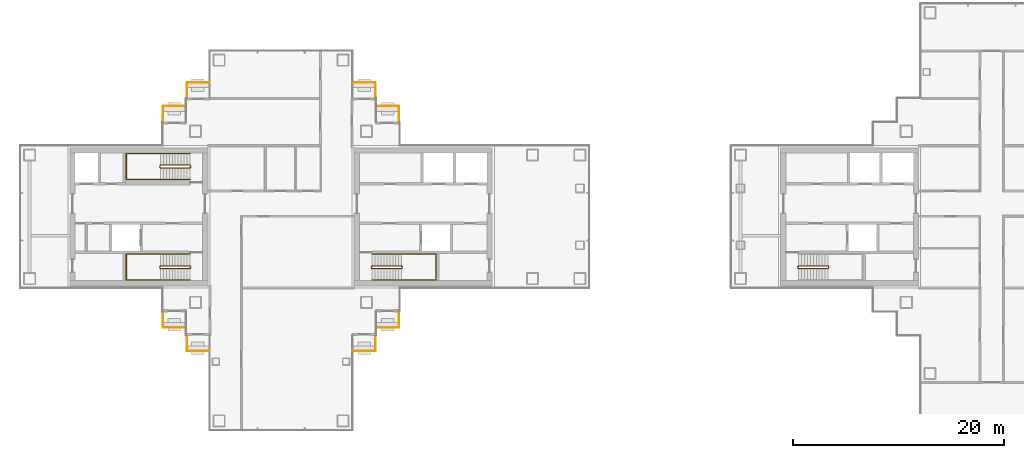
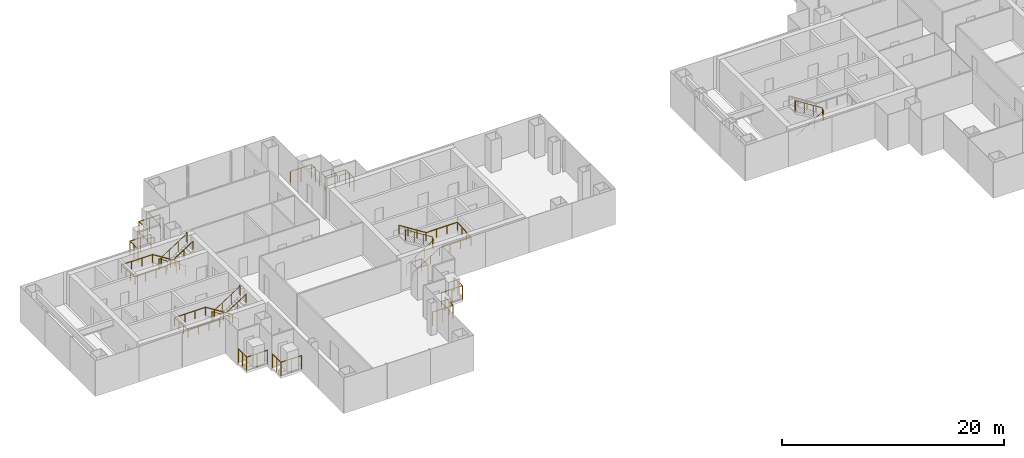
# One storey, part 14 of 16: 15 railings.
"""IFC4 building model written with IfcOpenShell, lengths in metres."""

from ifc_helpers import new_model, si_unit, direction, frame, origin, origin_2d, place, context, subcontext, project, spatial, circle, extrude, material, type_object, element, save


model = new_model("IFC4")

# Units and contexts
model_context = context("Model", 3, precision=1e-05, world=origin(), true_north=direction((0.0, 1.0)))
body_context = subcontext(model_context, "Body", "Model", "MODEL_VIEW")
ifc_project = project(units=[si_unit("LENGTHUNIT", "METRE"), si_unit("AREAUNIT", "SQUARE_METRE"), si_unit("VOLUMEUNIT", "CUBIC_METRE"), si_unit("PLANEANGLEUNIT", "RADIAN"), si_unit("MASSUNIT", "GRAM", prefix="KILO")], contexts=[model_context])

# Site, building, storey
site_placement = place(None, origin())
site = spatial("IfcSite", under=ifc_project, at=site_placement, CompositionType="ELEMENT")
building_placement = place(site_placement, origin())
building = spatial("IfcBuilding", under=site, at=building_placement, Name="Shamsa Quay Exchange Towers", CompositionType="ELEMENT")
storey_placement = place(building_placement, frame((0.0, 0.0, 158.39990234375)))
storey = spatial("IfcBuildingStorey", under=building, at=storey_placement, Name="L37", CompositionType="ELEMENT", Elevation=158.39990234375)

# Railings
ifc_material_1 = material(Name="Steel S355, black powder-coated", Category="steel")
railing_type_1 = type_object("IfcRailingType", Name="BALCONY GUARD 1500", PredefinedType="GUARDRAIL", material=ifc_material_1)
for number, where, name in (
    (1, (-22.550048828125, 9.02099609375, 0.0), "Balcony guard T1-PKEN L37"),
    (2, (-24.800048828125, 11.27099609375, 0.0), "Balcony guard T1-PKEN L37"),
):
    element("IfcRailing", number, at=place(storey_placement, frame(where)), inside=storey, type_object=railing_type_1, Name=name, PredefinedType="GUARDRAIL", context=body_context, shape_type="SweptSolid", body=[
        extrude(circle(Radius=0.02392578125, at=origin_2d()), frame((0.0, 0.0, 1.47607421875), z_axis=(0.0, 1.0, 0.0), x_axis=(-1.0, 0.0, 0.0)), (0.0, 0.0, 1.0), 1.47900390625),
        extrude(circle(Radius=0.02392578125, at=origin_2d()), frame((0.0, 1.47900390625, 1.47607421875), z_axis=(-1.0, 0.0, 0.0), x_axis=(0.0, -1.0, 0.0)), (0.0, 0.0, 1.0), 2.161865234375),
        extrude(circle(Radius=0.02099609375, at=origin_2d()), origin(), (0.0, 0.0, 1.0), 1.451904296875),
        extrude(circle(Radius=0.02099609375, at=origin_2d()), frame((0.0, 0.739501953125, 0.0)), (0.0, 0.0, 1.0), 1.451904296875),
        extrude(circle(Radius=0.02099609375, at=origin_2d()), frame((0.0, 1.47900390625, 0.0)), (0.0, 0.0, 1.0), 1.451904296875),
        extrude(circle(Radius=0.02099609375, at=origin_2d()), frame((-1.0810546875, 1.47900390625, 0.0)), (0.0, 0.0, 1.0), 1.451904296875),
        extrude(circle(Radius=0.02099609375, at=origin_2d()), frame((-2.161865234375, 1.47900390625, 0.0)), (0.0, 0.0, 1.0), 1.451904296875),
    ])
for number, where, name in (
    (3, (-24.7119140625, -10.5, 0.0), "Balcony guard T1-PKES L37"),
    (4, (-26.9619140625, -12.75, 0.0), "Balcony guard T1-PKES L37"),
):
    element("IfcRailing", number, at=place(storey_placement, frame(where)), inside=storey, type_object=railing_type_1, Name=name, PredefinedType="GUARDRAIL", context=body_context, shape_type="SweptSolid", body=[
        extrude(circle(Radius=0.02392578125, at=origin_2d()), frame((0.0, 0.0, 1.47607421875), z_axis=(1.0, 0.0, 0.0), x_axis=(0.0, 1.0, 0.0)), (0.0, 0.0, 1.0), 2.161865234375),
        extrude(circle(Radius=0.02392578125, at=origin_2d()), frame((2.161865234375, 0.0, 1.47607421875), z_axis=(0.0, 1.0, 0.0), x_axis=(-1.0, 0.0, 0.0)), (0.0, 0.0, 1.0), 1.47900390625),
        extrude(circle(Radius=0.02099609375, at=origin_2d()), origin(), (0.0, 0.0, 1.0), 1.451904296875),
        extrude(circle(Radius=0.02099609375, at=origin_2d()), frame((1.0810546875, 0.0, 0.0)), (0.0, 0.0, 1.0), 1.451904296875),
        extrude(circle(Radius=0.02099609375, at=origin_2d()), frame((2.161865234375, 0.0, 0.0)), (0.0, 0.0, 1.0), 1.451904296875),
        extrude(circle(Radius=0.02099609375, at=origin_2d()), frame((2.161865234375, 0.739501953125, 0.0)), (0.0, 0.0, 1.0), 1.451904296875),
        extrude(circle(Radius=0.02099609375, at=origin_2d()), frame((2.161865234375, 1.47900390625, 0.0)), (0.0, 0.0, 1.0), 1.451904296875),
    ])
for number, where, name in (
    (5, (-40.5380859375, 12.75, 0.0), "Balcony guard T1-PKWN L37"),
    (6, (-42.7880859375, 10.5, 0.0), "Balcony guard T1-PKWN L37"),
):
    element("IfcRailing", number, at=place(storey_placement, frame(where)), inside=storey, type_object=railing_type_1, Name=name, PredefinedType="GUARDRAIL", context=body_context, shape_type="SweptSolid", body=[
        extrude(circle(Radius=0.02392578125, at=origin_2d()), frame((0.0, 0.0, 1.47607421875), z_axis=(-1.0, 0.0, 0.0), x_axis=(0.0, -1.0, 0.0)), (0.0, 0.0, 1.0), 2.161865234375),
        extrude(circle(Radius=0.02392578125, at=origin_2d()), frame((-2.161865234375, 0.0, 1.47607421875), z_axis=(0.0, -1.0, 0.0), x_axis=(1.0, 0.0, 0.0)), (0.0, 0.0, 1.0), 1.47900390625),
        extrude(circle(Radius=0.02099609375, at=origin_2d()), origin(), (0.0, 0.0, 1.0), 1.451904296875),
        extrude(circle(Radius=0.02099609375, at=origin_2d()), frame((-1.0810546875, 0.0, 0.0)), (0.0, 0.0, 1.0), 1.451904296875),
        extrude(circle(Radius=0.02099609375, at=origin_2d()), frame((-2.161865234375, 0.0, 0.0)), (0.0, 0.0, 1.0), 1.451904296875),
        extrude(circle(Radius=0.02099609375, at=origin_2d()), frame((-2.161865234375, -0.739501953125, 0.0)), (0.0, 0.0, 1.0), 1.451904296875),
        extrude(circle(Radius=0.02099609375, at=origin_2d()), frame((-2.161865234375, -1.47900390625, 0.0)), (0.0, 0.0, 1.0), 1.451904296875),
    ])
for number, where, name in (
    (7, (-44.949951171875, -9.02099609375, 0.0), "Balcony guard T1-PKWS L37"),
    (8, (-42.699951171875, -11.27099609375, 0.0), "Balcony guard T1-PKWS L37"),
):
    element("IfcRailing", number, at=place(storey_placement, frame(where)), inside=storey, type_object=railing_type_1, Name=name, PredefinedType="GUARDRAIL", context=body_context, shape_type="SweptSolid", body=[
        extrude(circle(Radius=0.02392578125, at=origin_2d()), frame((0.0, 0.0, 1.47607421875), z_axis=(0.0, -1.0, 0.0), x_axis=(1.0, 0.0, 0.0)), (0.0, 0.0, 1.0), 1.47900390625),
        extrude(circle(Radius=0.02392578125, at=origin_2d()), frame((0.0, -1.47900390625, 1.47607421875), z_axis=(1.0, 0.0, 0.0), x_axis=(0.0, 1.0, 0.0)), (0.0, 0.0, 1.0), 2.161865234375),
        extrude(circle(Radius=0.02099609375, at=origin_2d()), origin(), (0.0, 0.0, 1.0), 1.451904296875),
        extrude(circle(Radius=0.02099609375, at=origin_2d()), frame((0.0, -0.739501953125, 0.0)), (0.0, 0.0, 1.0), 1.451904296875),
        extrude(circle(Radius=0.02099609375, at=origin_2d()), frame((0.0, -1.47900390625, 0.0)), (0.0, 0.0, 1.0), 1.451904296875),
        extrude(circle(Radius=0.02099609375, at=origin_2d()), frame((1.0810546875, -1.47900390625, 0.0)), (0.0, 0.0, 1.0), 1.451904296875),
        extrude(circle(Radius=0.02099609375, at=origin_2d()), frame((2.161865234375, -1.47900390625, 0.0)), (0.0, 0.0, 1.0), 1.451904296875),
    ])
ifc_material_2 = material(Name="Stainless steel", Category="steel")
railing_type_2 = type_object("IfcRailingType", Name="STAIR GUARD 1100", PredefinedType="GUARDRAIL", material=ifc_material_2)
railing_1_placement = place(storey_placement, frame((-25.10009765625, -4.89990234375, 0.177490234375)))
element("IfcRailing", 9, at=railing_1_placement, inside=storey, type_object=railing_type_2, Name="L37 ST1 stair guard 1", PredefinedType="GUARDRAIL", context=body_context, shape_type="SweptSolid", body=[
    extrude(circle(Radius=0.02392578125, at=origin_2d()), frame((0.0, 0.0, 1.076171875), z_axis=(0.844908973607, 0.0, 0.534910110503), x_axis=(0.0, 1.0, 0.0)), (0.0, 0.0, 1.0), 3.31396484375),
    extrude(circle(Radius=0.02392578125, at=origin_2d()), frame((2.800048828125, 0.0, 2.8486328125), z_axis=(0.708833529934, 0.705375805398, 0.0), x_axis=(-0.705375805398, 0.708833529934, 0.0)), (0.0, 0.0, 1.0), 0.070556640625),
    extrude(circle(Radius=0.02392578125, at=origin_2d()), frame((2.85009765625, 0.0498046875, 2.8486328125), z_axis=(0.0, 1.0, 0.0), x_axis=(-1.0, 0.0, 0.0)), (0.0, 0.0, 1.0), 0.150146484375),
    extrude(circle(Radius=0.02392578125, at=origin_2d()), frame((2.85009765625, 0.199951171875, 2.8486328125), z_axis=(-0.262233686654, 0.262233686654, 0.928691007369), x_axis=(-0.707106781187, -0.707106781187, 0.0)), (0.0, 0.0, 1.0), 0.19091796875),
    extrude(circle(Radius=0.02392578125, at=origin_2d()), frame((2.800048828125, 0.25, 3.02587890625), z_axis=(-0.844908973607, 0.0, 0.534910110503), x_axis=(0.0, -1.0, 0.0)), (0.0, 0.0, 1.0), 3.31396484375),
    extrude(circle(Radius=0.02392578125, at=origin_2d()), frame((0.0, 0.25, 4.798828125), z_axis=(-0.24142163986, -0.970420317083, 0.0), x_axis=(0.970420317083, -0.24142163986, 0.0)), (0.0, 0.0, 1.0), 0.206298828125),
    extrude(circle(Radius=0.02392578125, at=origin_2d()), frame((-0.0498046875, 0.0498046875, 4.798828125), z_axis=(0.0, 1.0, 0.0), x_axis=(-1.0, 0.0, 0.0)), (0.0, 0.0, 1.0), 0.150146484375),
    extrude(circle(Radius=0.02099609375, at=origin_2d()), origin(), (0.0, 0.0, 1.0), 1.052001953125),
    extrude(circle(Radius=0.02099609375, at=origin_2d()), frame((0.933349609375, 0.0, 0.5908203125)), (0.0, 0.0, 1.0), 1.052001953125),
    extrude(circle(Radius=0.02099609375, at=origin_2d()), frame((1.86669921875, 0.0, 1.181884765625)), (0.0, 0.0, 1.0), 1.052001953125),
    extrude(circle(Radius=0.02099609375, at=origin_2d()), frame((2.800048828125, 0.0, 1.772705078125)), (0.0, 0.0, 1.0), 1.052001953125),
    extrude(circle(Radius=0.02099609375, at=origin_2d()), frame((2.85009765625, 0.0498046875, 1.772705078125)), (0.0, 0.0, 1.0), 1.052001953125),
    extrude(circle(Radius=0.02099609375, at=origin_2d()), frame((2.85009765625, 0.199951171875, 1.772705078125)), (0.0, 0.0, 1.0), 1.052001953125),
    extrude(circle(Radius=0.02099609375, at=origin_2d()), frame((2.800048828125, 0.25, 1.949951171875)), (0.0, 0.0, 1.0), 1.052001953125),
    extrude(circle(Radius=0.02099609375, at=origin_2d()), frame((1.86669921875, 0.25, 2.540771484375)), (0.0, 0.0, 1.0), 1.052001953125),
    extrude(circle(Radius=0.02099609375, at=origin_2d()), frame((0.933349609375, 0.25, 3.1318359375)), (0.0, 0.0, 1.0), 1.052001953125),
    extrude(circle(Radius=0.02099609375, at=origin_2d()), frame((0.0, 0.25, 3.72265625)), (0.0, 0.0, 1.0), 1.052001953125),
    extrude(circle(Radius=0.02099609375, at=origin_2d()), frame((-0.0498046875, 0.0498046875, 3.72265625)), (0.0, 0.0, 1.0), 1.052001953125),
    extrude(circle(Radius=0.02099609375, at=origin_2d()), frame((-0.0498046875, 0.199951171875, 3.72265625)), (0.0, 0.0, 1.0), 1.052001953125),
])
railing_2_placement = place(storey_placement, frame((-42.39990234375, -4.64990234375, 0.177490234375)))
element("IfcRailing", 10, at=railing_2_placement, inside=storey, type_object=railing_type_2, Name="L37 ST2 stair guard 1", PredefinedType="GUARDRAIL", context=body_context, shape_type="SweptSolid", body=[
    extrude(circle(Radius=0.02392578125, at=origin_2d()), frame((0.0, 0.0, 1.076171875), z_axis=(-0.844908973607, 0.0, 0.534910110503), x_axis=(0.0, -1.0, 0.0)), (0.0, 0.0, 1.0), 3.31396484375),
    extrude(circle(Radius=0.02392578125, at=origin_2d()), frame((-2.800048828125, 0.0, 2.8486328125), z_axis=(-0.707106781187, -0.707106781187, 0.0), x_axis=(0.707106781187, -0.707106781187, 0.0)), (0.0, 0.0, 1.0), 0.07080078125),
    extrude(circle(Radius=0.02392578125, at=origin_2d()), frame((-2.85009765625, -0.050048828125, 2.8486328125), z_axis=(0.0, -1.0, 0.0), x_axis=(1.0, 0.0, 0.0)), (0.0, 0.0, 1.0), 0.150146484375),
    extrude(circle(Radius=0.02392578125, at=origin_2d()), frame((-2.85009765625, -0.2001953125, 2.8486328125), z_axis=(0.262321481514, -0.261041864531, 0.929001929653), x_axis=(0.705375805398, 0.708833529934, 0.0)), (0.0, 0.0, 1.0), 0.190673828125),
    extrude(circle(Radius=0.02392578125, at=origin_2d()), frame((-2.800048828125, -0.25, 3.02587890625), z_axis=(0.844908973607, 0.0, 0.534910110503), x_axis=(0.0, 1.0, 0.0)), (0.0, 0.0, 1.0), 3.31396484375),
    extrude(circle(Radius=0.02392578125, at=origin_2d()), frame((0.0, -0.25, 4.798828125), z_axis=(0.241699205484, 0.970351222016, 0.0), x_axis=(-0.970351222016, 0.241699205484, 0.0)), (0.0, 0.0, 1.0), 0.2060546875),
    extrude(circle(Radius=0.02392578125, at=origin_2d()), frame((0.0498046875, -0.050048828125, 4.798828125), z_axis=(0.0, -1.0, 0.0), x_axis=(1.0, 0.0, 0.0)), (0.0, 0.0, 1.0), 0.150146484375),
    extrude(circle(Radius=0.02099609375, at=origin_2d()), origin(), (0.0, 0.0, 1.0), 1.052001953125),
    extrude(circle(Radius=0.02099609375, at=origin_2d()), frame((-0.933349609375, 0.0, 0.5908203125)), (0.0, 0.0, 1.0), 1.052001953125),
    extrude(circle(Radius=0.02099609375, at=origin_2d()), frame((-1.86669921875, 0.0, 1.181884765625)), (0.0, 0.0, 1.0), 1.052001953125),
    extrude(circle(Radius=0.02099609375, at=origin_2d()), frame((-2.800048828125, 0.0, 1.772705078125)), (0.0, 0.0, 1.0), 1.052001953125),
    extrude(circle(Radius=0.02099609375, at=origin_2d()), frame((-2.85009765625, -0.050048828125, 1.772705078125)), (0.0, 0.0, 1.0), 1.052001953125),
    extrude(circle(Radius=0.02099609375, at=origin_2d()), frame((-2.85009765625, -0.2001953125, 1.772705078125)), (0.0, 0.0, 1.0), 1.052001953125),
    extrude(circle(Radius=0.02099609375, at=origin_2d()), frame((-2.800048828125, -0.25, 1.949951171875)), (0.0, 0.0, 1.0), 1.052001953125),
    extrude(circle(Radius=0.02099609375, at=origin_2d()), frame((-1.86669921875, -0.25, 2.540771484375)), (0.0, 0.0, 1.0), 1.052001953125),
    extrude(circle(Radius=0.02099609375, at=origin_2d()), frame((-0.933349609375, -0.25, 3.1318359375)), (0.0, 0.0, 1.0), 1.052001953125),
    extrude(circle(Radius=0.02099609375, at=origin_2d()), frame((0.0, -0.25, 3.72265625)), (0.0, 0.0, 1.0), 1.052001953125),
    extrude(circle(Radius=0.02099609375, at=origin_2d()), frame((0.0498046875, -0.050048828125, 3.72265625)), (0.0, 0.0, 1.0), 1.052001953125),
    extrude(circle(Radius=0.02099609375, at=origin_2d()), frame((0.0498046875, -0.2001953125, 3.72265625)), (0.0, 0.0, 1.0), 1.052001953125),
])
railing_3_placement = place(storey_placement, frame((-42.39990234375, 4.89990234375, 0.177490234375)))
element("IfcRailing", 11, at=railing_3_placement, inside=storey, type_object=railing_type_2, Name="L37 ST3 stair guard 1", PredefinedType="GUARDRAIL", context=body_context, shape_type="SweptSolid", body=[
    extrude(circle(Radius=0.02392578125, at=origin_2d()), frame((0.0, 0.0, 1.076171875), z_axis=(-0.844908973607, 0.0, 0.534910110503), x_axis=(0.0, -1.0, 0.0)), (0.0, 0.0, 1.0), 3.31396484375),
    extrude(circle(Radius=0.02392578125, at=origin_2d()), frame((-2.800048828125, 0.0, 2.8486328125), z_axis=(-0.708833529934, -0.705375805398, 0.0), x_axis=(0.705375805398, -0.708833529934, 0.0)), (0.0, 0.0, 1.0), 0.070556640625),
    extrude(circle(Radius=0.02392578125, at=origin_2d()), frame((-2.85009765625, -0.0498046875, 2.8486328125), z_axis=(0.0, -1.0, 0.0), x_axis=(1.0, 0.0, 0.0)), (0.0, 0.0, 1.0), 0.150146484375),
    extrude(circle(Radius=0.02392578125, at=origin_2d()), frame((-2.85009765625, -0.199951171875, 2.8486328125), z_axis=(0.262233686654, -0.262233686654, 0.928691007369), x_axis=(0.707106781187, 0.707106781187, 0.0)), (0.0, 0.0, 1.0), 0.19091796875),
    extrude(circle(Radius=0.02392578125, at=origin_2d()), frame((-2.800048828125, -0.25, 3.02587890625), z_axis=(0.844908973607, 0.0, 0.534910110503), x_axis=(0.0, 1.0, 0.0)), (0.0, 0.0, 1.0), 3.31396484375),
    extrude(circle(Radius=0.02392578125, at=origin_2d()), frame((0.0, -0.25, 4.798828125), z_axis=(0.24142163986, 0.970420317083, 0.0), x_axis=(-0.970420317083, 0.24142163986, 0.0)), (0.0, 0.0, 1.0), 0.206298828125),
    extrude(circle(Radius=0.02392578125, at=origin_2d()), frame((0.0498046875, -0.0498046875, 4.798828125), z_axis=(0.0, -1.0, 0.0), x_axis=(1.0, 0.0, 0.0)), (0.0, 0.0, 1.0), 0.150146484375),
    extrude(circle(Radius=0.02099609375, at=origin_2d()), origin(), (0.0, 0.0, 1.0), 1.052001953125),
    extrude(circle(Radius=0.02099609375, at=origin_2d()), frame((-0.933349609375, 0.0, 0.5908203125)), (0.0, 0.0, 1.0), 1.052001953125),
    extrude(circle(Radius=0.02099609375, at=origin_2d()), frame((-1.86669921875, 0.0, 1.181884765625)), (0.0, 0.0, 1.0), 1.052001953125),
    extrude(circle(Radius=0.02099609375, at=origin_2d()), frame((-2.800048828125, 0.0, 1.772705078125)), (0.0, 0.0, 1.0), 1.052001953125),
    extrude(circle(Radius=0.02099609375, at=origin_2d()), frame((-2.85009765625, -0.0498046875, 1.772705078125)), (0.0, 0.0, 1.0), 1.052001953125),
    extrude(circle(Radius=0.02099609375, at=origin_2d()), frame((-2.85009765625, -0.199951171875, 1.772705078125)), (0.0, 0.0, 1.0), 1.052001953125),
    extrude(circle(Radius=0.02099609375, at=origin_2d()), frame((-2.800048828125, -0.25, 1.949951171875)), (0.0, 0.0, 1.0), 1.052001953125),
    extrude(circle(Radius=0.02099609375, at=origin_2d()), frame((-1.86669921875, -0.25, 2.540771484375)), (0.0, 0.0, 1.0), 1.052001953125),
    extrude(circle(Radius=0.02099609375, at=origin_2d()), frame((-0.933349609375, -0.25, 3.1318359375)), (0.0, 0.0, 1.0), 1.052001953125),
    extrude(circle(Radius=0.02099609375, at=origin_2d()), frame((0.0, -0.25, 3.72265625)), (0.0, 0.0, 1.0), 1.052001953125),
    extrude(circle(Radius=0.02099609375, at=origin_2d()), frame((0.0498046875, -0.0498046875, 3.72265625)), (0.0, 0.0, 1.0), 1.052001953125),
    extrude(circle(Radius=0.02099609375, at=origin_2d()), frame((0.0498046875, -0.199951171875, 3.72265625)), (0.0, 0.0, 1.0), 1.052001953125),
])
railing_4_placement = place(storey_placement, frame((15.39990234375, -4.89990234375, 0.177490234375)))
element("IfcRailing", 12, at=railing_4_placement, inside=storey, type_object=railing_type_2, Name="L37 ST4 stair guard 1", PredefinedType="GUARDRAIL", context=body_context, shape_type="SweptSolid", body=[
    extrude(circle(Radius=0.02392578125, at=origin_2d()), frame((0.0, 0.0, 1.076171875), z_axis=(0.844908973607, 0.0, 0.534910110503), x_axis=(0.0, 1.0, 0.0)), (0.0, 0.0, 1.0), 3.31396484375),
    extrude(circle(Radius=0.02392578125, at=origin_2d()), frame((2.800048828125, 0.0, 2.8486328125), z_axis=(0.708833529934, 0.705375805398, 0.0), x_axis=(-0.705375805398, 0.708833529934, 0.0)), (0.0, 0.0, 1.0), 0.070556640625),
    extrude(circle(Radius=0.02392578125, at=origin_2d()), frame((2.85009765625, 0.0498046875, 2.8486328125), z_axis=(0.0, 1.0, 0.0), x_axis=(-1.0, 0.0, 0.0)), (0.0, 0.0, 1.0), 0.150146484375),
    extrude(circle(Radius=0.02392578125, at=origin_2d()), frame((2.85009765625, 0.199951171875, 2.8486328125), z_axis=(-0.262233686654, 0.262233686654, 0.928691007369), x_axis=(-0.707106781187, -0.707106781187, 0.0)), (0.0, 0.0, 1.0), 0.19091796875),
    extrude(circle(Radius=0.02392578125, at=origin_2d()), frame((2.800048828125, 0.25, 3.02587890625), z_axis=(-0.844908973607, 0.0, 0.534910110503), x_axis=(0.0, -1.0, 0.0)), (0.0, 0.0, 1.0), 3.31396484375),
    extrude(circle(Radius=0.02392578125, at=origin_2d()), frame((0.0, 0.25, 4.798828125), z_axis=(-0.24142163986, -0.970420317083, 0.0), x_axis=(0.970420317083, -0.24142163986, 0.0)), (0.0, 0.0, 1.0), 0.206298828125),
    extrude(circle(Radius=0.02392578125, at=origin_2d()), frame((-0.0498046875, 0.0498046875, 4.798828125), z_axis=(0.0, 1.0, 0.0), x_axis=(-1.0, 0.0, 0.0)), (0.0, 0.0, 1.0), 0.150146484375),
    extrude(circle(Radius=0.02099609375, at=origin_2d()), origin(), (0.0, 0.0, 1.0), 1.052001953125),
    extrude(circle(Radius=0.02099609375, at=origin_2d()), frame((0.933349609375, 0.0, 0.5908203125)), (0.0, 0.0, 1.0), 1.052001953125),
    extrude(circle(Radius=0.02099609375, at=origin_2d()), frame((1.86669921875, 0.0, 1.181884765625)), (0.0, 0.0, 1.0), 1.052001953125),
    extrude(circle(Radius=0.02099609375, at=origin_2d()), frame((2.800048828125, 0.0, 1.772705078125)), (0.0, 0.0, 1.0), 1.052001953125),
    extrude(circle(Radius=0.02099609375, at=origin_2d()), frame((2.85009765625, 0.0498046875, 1.772705078125)), (0.0, 0.0, 1.0), 1.052001953125),
    extrude(circle(Radius=0.02099609375, at=origin_2d()), frame((2.85009765625, 0.199951171875, 1.772705078125)), (0.0, 0.0, 1.0), 1.052001953125),
    extrude(circle(Radius=0.02099609375, at=origin_2d()), frame((2.800048828125, 0.25, 1.949951171875)), (0.0, 0.0, 1.0), 1.052001953125),
    extrude(circle(Radius=0.02099609375, at=origin_2d()), frame((1.86669921875, 0.25, 2.540771484375)), (0.0, 0.0, 1.0), 1.052001953125),
    extrude(circle(Radius=0.02099609375, at=origin_2d()), frame((0.933349609375, 0.25, 3.1318359375)), (0.0, 0.0, 1.0), 1.052001953125),
    extrude(circle(Radius=0.02099609375, at=origin_2d()), frame((0.0, 0.25, 3.72265625)), (0.0, 0.0, 1.0), 1.052001953125),
    extrude(circle(Radius=0.02099609375, at=origin_2d()), frame((-0.0498046875, 0.0498046875, 3.72265625)), (0.0, 0.0, 1.0), 1.052001953125),
    extrude(circle(Radius=0.02099609375, at=origin_2d()), frame((-0.0498046875, 0.199951171875, 3.72265625)), (0.0, 0.0, 1.0), 1.052001953125),
])
railing_type_3 = type_object("IfcRailingType", Name="STAIR HANDRAIL 900", PredefinedType="HANDRAIL", material=ifc_material_2)
railing_5_placement = place(storey_placement, frame((-25.10009765625, -6.0, 0.177490234375)))
element("IfcRailing", 13, at=railing_5_placement, inside=storey, type_object=railing_type_3, Name="L37 ST1 stair handrail 1", PredefinedType="HANDRAIL", context=body_context, shape_type="SweptSolid", body=[
    extrude(circle(Radius=0.02392578125, at=origin_2d()), frame((0.0, 0.0, 0.8759765625), z_axis=(0.844908973607, 0.0, 0.534910110503), x_axis=(0.0, 1.0, 0.0)), (0.0, 0.0, 1.0), 3.31396484375),
    extrude(circle(Radius=0.02392578125, at=origin_2d()), frame((2.800048828125, 0.0, 2.6484375), z_axis=(1.0, 0.0, 0.0), x_axis=(0.0, 1.0, 0.0)), (0.0, 0.0, 1.0), 3.25),
    extrude(circle(Radius=0.02392578125, at=origin_2d()), frame((6.050048828125, 0.0, 2.6484375), z_axis=(0.0, 0.997393199914, 0.07215819264), x_axis=(-1.0, 0.0, 0.0)), (0.0, 0.0, 1.0), 2.456298828125),
    extrude(circle(Radius=0.02392578125, at=origin_2d()), frame((6.050048828125, 2.449951171875, 2.82568359375), z_axis=(-1.0, 0.0, 0.0), x_axis=(0.0, -1.0, 0.0)), (0.0, 0.0, 1.0), 3.25),
    extrude(circle(Radius=0.02392578125, at=origin_2d()), frame((2.800048828125, 2.449951171875, 2.82568359375), z_axis=(-0.844908973607, 0.0, 0.534910110503), x_axis=(0.0, -1.0, 0.0)), (0.0, 0.0, 1.0), 3.31396484375),
    extrude(circle(Radius=0.02099609375, at=origin_2d()), origin(), (0.0, 0.0, 1.0), 0.851806640625),
    extrude(circle(Radius=0.02099609375, at=origin_2d()), frame((0.933349609375, 0.0, 0.5908203125)), (0.0, 0.0, 1.0), 0.851806640625),
    extrude(circle(Radius=0.02099609375, at=origin_2d()), frame((1.86669921875, 0.0, 1.181884765625)), (0.0, 0.0, 1.0), 0.851806640625),
    extrude(circle(Radius=0.02099609375, at=origin_2d()), frame((2.800048828125, 0.0, 1.772705078125)), (0.0, 0.0, 1.0), 0.851806640625),
    extrude(circle(Radius=0.02099609375, at=origin_2d()), frame((3.88330078125, 0.0, 1.772705078125)), (0.0, 0.0, 1.0), 0.851806640625),
    extrude(circle(Radius=0.02099609375, at=origin_2d()), frame((4.966796875, 0.0, 1.772705078125)), (0.0, 0.0, 1.0), 0.851806640625),
    extrude(circle(Radius=0.02099609375, at=origin_2d()), frame((6.050048828125, 0.0, 1.772705078125)), (0.0, 0.0, 1.0), 0.851806640625),
    extrude(circle(Radius=0.02099609375, at=origin_2d()), frame((6.050048828125, 0.816650390625, 1.831787109375)), (0.0, 0.0, 1.0), 0.851806640625),
    extrude(circle(Radius=0.02099609375, at=origin_2d()), frame((6.050048828125, 1.63330078125, 1.890869140625)), (0.0, 0.0, 1.0), 0.851806640625),
    extrude(circle(Radius=0.02099609375, at=origin_2d()), frame((6.050048828125, 2.449951171875, 1.949951171875)), (0.0, 0.0, 1.0), 0.851806640625),
    extrude(circle(Radius=0.02099609375, at=origin_2d()), frame((4.966796875, 2.449951171875, 1.949951171875)), (0.0, 0.0, 1.0), 0.851806640625),
    extrude(circle(Radius=0.02099609375, at=origin_2d()), frame((3.88330078125, 2.449951171875, 1.949951171875)), (0.0, 0.0, 1.0), 0.851806640625),
    extrude(circle(Radius=0.02099609375, at=origin_2d()), frame((2.800048828125, 2.449951171875, 1.949951171875)), (0.0, 0.0, 1.0), 0.851806640625),
    extrude(circle(Radius=0.02099609375, at=origin_2d()), frame((1.86669921875, 2.449951171875, 2.540771484375)), (0.0, 0.0, 1.0), 0.851806640625),
    extrude(circle(Radius=0.02099609375, at=origin_2d()), frame((0.933349609375, 2.449951171875, 3.1318359375)), (0.0, 0.0, 1.0), 0.851806640625),
    extrude(circle(Radius=0.02099609375, at=origin_2d()), frame((0.0, 2.449951171875, 3.72265625)), (0.0, 0.0, 1.0), 0.851806640625),
])
railing_6_placement = place(storey_placement, frame((-42.39990234375, -3.550048828125, 0.177490234375)))
element("IfcRailing", 14, at=railing_6_placement, inside=storey, type_object=railing_type_3, Name="L37 ST2 stair handrail 1", PredefinedType="HANDRAIL", context=body_context, shape_type="SweptSolid", body=[
    extrude(circle(Radius=0.02392578125, at=origin_2d()), frame((0.0, 0.0, 0.8759765625), z_axis=(-0.844908973607, 0.0, 0.534910110503), x_axis=(0.0, -1.0, 0.0)), (0.0, 0.0, 1.0), 3.31396484375),
    extrude(circle(Radius=0.02392578125, at=origin_2d()), frame((-2.800048828125, 0.0, 2.6484375), z_axis=(-1.0, 0.0, 0.0), x_axis=(0.0, -1.0, 0.0)), (0.0, 0.0, 1.0), 3.25),
    extrude(circle(Radius=0.02392578125, at=origin_2d()), frame((-6.050048828125, 0.0, 2.6484375), z_axis=(0.0, -0.997393199914, 0.07215819264), x_axis=(1.0, 0.0, 0.0)), (0.0, 0.0, 1.0), 2.456298828125),
    extrude(circle(Radius=0.02392578125, at=origin_2d()), frame((-6.050048828125, -2.449951171875, 2.82568359375), z_axis=(1.0, 0.0, 0.0), x_axis=(0.0, 1.0, 0.0)), (0.0, 0.0, 1.0), 3.25),
    extrude(circle(Radius=0.02392578125, at=origin_2d()), frame((-2.800048828125, -2.449951171875, 2.82568359375), z_axis=(0.844908973607, 0.0, 0.534910110503), x_axis=(0.0, 1.0, 0.0)), (0.0, 0.0, 1.0), 3.31396484375),
    extrude(circle(Radius=0.02099609375, at=origin_2d()), origin(), (0.0, 0.0, 1.0), 0.851806640625),
    extrude(circle(Radius=0.02099609375, at=origin_2d()), frame((-0.933349609375, 0.0, 0.5908203125)), (0.0, 0.0, 1.0), 0.851806640625),
    extrude(circle(Radius=0.02099609375, at=origin_2d()), frame((-1.86669921875, 0.0, 1.181884765625)), (0.0, 0.0, 1.0), 0.851806640625),
    extrude(circle(Radius=0.02099609375, at=origin_2d()), frame((-2.800048828125, 0.0, 1.772705078125)), (0.0, 0.0, 1.0), 0.851806640625),
    extrude(circle(Radius=0.02099609375, at=origin_2d()), frame((-3.88330078125, 0.0, 1.772705078125)), (0.0, 0.0, 1.0), 0.851806640625),
    extrude(circle(Radius=0.02099609375, at=origin_2d()), frame((-4.966796875, 0.0, 1.772705078125)), (0.0, 0.0, 1.0), 0.851806640625),
    extrude(circle(Radius=0.02099609375, at=origin_2d()), frame((-6.050048828125, 0.0, 1.772705078125)), (0.0, 0.0, 1.0), 0.851806640625),
    extrude(circle(Radius=0.02099609375, at=origin_2d()), frame((-6.050048828125, -0.816650390625, 1.831787109375)), (0.0, 0.0, 1.0), 0.851806640625),
    extrude(circle(Radius=0.02099609375, at=origin_2d()), frame((-6.050048828125, -1.63330078125, 1.890869140625)), (0.0, 0.0, 1.0), 0.851806640625),
    extrude(circle(Radius=0.02099609375, at=origin_2d()), frame((-6.050048828125, -2.449951171875, 1.949951171875)), (0.0, 0.0, 1.0), 0.851806640625),
    extrude(circle(Radius=0.02099609375, at=origin_2d()), frame((-4.966796875, -2.449951171875, 1.949951171875)), (0.0, 0.0, 1.0), 0.851806640625),
    extrude(circle(Radius=0.02099609375, at=origin_2d()), frame((-3.88330078125, -2.449951171875, 1.949951171875)), (0.0, 0.0, 1.0), 0.851806640625),
    extrude(circle(Radius=0.02099609375, at=origin_2d()), frame((-2.800048828125, -2.449951171875, 1.949951171875)), (0.0, 0.0, 1.0), 0.851806640625),
    extrude(circle(Radius=0.02099609375, at=origin_2d()), frame((-1.86669921875, -2.449951171875, 2.540771484375)), (0.0, 0.0, 1.0), 0.851806640625),
    extrude(circle(Radius=0.02099609375, at=origin_2d()), frame((-0.933349609375, -2.449951171875, 3.1318359375)), (0.0, 0.0, 1.0), 0.851806640625),
    extrude(circle(Radius=0.02099609375, at=origin_2d()), frame((0.0, -2.449951171875, 3.72265625)), (0.0, 0.0, 1.0), 0.851806640625),
])
railing_7_placement = place(storey_placement, frame((-42.39990234375, 6.0, 0.177490234375)))
element("IfcRailing", 15, at=railing_7_placement, inside=storey, type_object=railing_type_3, Name="L37 ST3 stair handrail 1", PredefinedType="HANDRAIL", context=body_context, shape_type="SweptSolid", body=[
    extrude(circle(Radius=0.02392578125, at=origin_2d()), frame((0.0, 0.0, 0.8759765625), z_axis=(-0.844908973607, 0.0, 0.534910110503), x_axis=(0.0, -1.0, 0.0)), (0.0, 0.0, 1.0), 3.31396484375),
    extrude(circle(Radius=0.02392578125, at=origin_2d()), frame((-2.800048828125, 0.0, 2.6484375), z_axis=(-1.0, 0.0, 0.0), x_axis=(0.0, -1.0, 0.0)), (0.0, 0.0, 1.0), 3.25),
    extrude(circle(Radius=0.02392578125, at=origin_2d()), frame((-6.050048828125, 0.0, 2.6484375), z_axis=(0.0, -0.997393199914, 0.07215819264), x_axis=(1.0, 0.0, 0.0)), (0.0, 0.0, 1.0), 2.456298828125),
    extrude(circle(Radius=0.02392578125, at=origin_2d()), frame((-6.050048828125, -2.449951171875, 2.82568359375), z_axis=(1.0, 0.0, 0.0), x_axis=(0.0, 1.0, 0.0)), (0.0, 0.0, 1.0), 3.25),
    extrude(circle(Radius=0.02392578125, at=origin_2d()), frame((-2.800048828125, -2.449951171875, 2.82568359375), z_axis=(0.844908973607, 0.0, 0.534910110503), x_axis=(0.0, 1.0, 0.0)), (0.0, 0.0, 1.0), 3.31396484375),
    extrude(circle(Radius=0.02099609375, at=origin_2d()), origin(), (0.0, 0.0, 1.0), 0.851806640625),
    extrude(circle(Radius=0.02099609375, at=origin_2d()), frame((-0.933349609375, 0.0, 0.5908203125)), (0.0, 0.0, 1.0), 0.851806640625),
    extrude(circle(Radius=0.02099609375, at=origin_2d()), frame((-1.86669921875, 0.0, 1.181884765625)), (0.0, 0.0, 1.0), 0.851806640625),
    extrude(circle(Radius=0.02099609375, at=origin_2d()), frame((-2.800048828125, 0.0, 1.772705078125)), (0.0, 0.0, 1.0), 0.851806640625),
    extrude(circle(Radius=0.02099609375, at=origin_2d()), frame((-3.88330078125, 0.0, 1.772705078125)), (0.0, 0.0, 1.0), 0.851806640625),
    extrude(circle(Radius=0.02099609375, at=origin_2d()), frame((-4.966796875, 0.0, 1.772705078125)), (0.0, 0.0, 1.0), 0.851806640625),
    extrude(circle(Radius=0.02099609375, at=origin_2d()), frame((-6.050048828125, 0.0, 1.772705078125)), (0.0, 0.0, 1.0), 0.851806640625),
    extrude(circle(Radius=0.02099609375, at=origin_2d()), frame((-6.050048828125, -0.816650390625, 1.831787109375)), (0.0, 0.0, 1.0), 0.851806640625),
    extrude(circle(Radius=0.02099609375, at=origin_2d()), frame((-6.050048828125, -1.63330078125, 1.890869140625)), (0.0, 0.0, 1.0), 0.851806640625),
    extrude(circle(Radius=0.02099609375, at=origin_2d()), frame((-6.050048828125, -2.449951171875, 1.949951171875)), (0.0, 0.0, 1.0), 0.851806640625),
    extrude(circle(Radius=0.02099609375, at=origin_2d()), frame((-4.966796875, -2.449951171875, 1.949951171875)), (0.0, 0.0, 1.0), 0.851806640625),
    extrude(circle(Radius=0.02099609375, at=origin_2d()), frame((-3.88330078125, -2.449951171875, 1.949951171875)), (0.0, 0.0, 1.0), 0.851806640625),
    extrude(circle(Radius=0.02099609375, at=origin_2d()), frame((-2.800048828125, -2.449951171875, 1.949951171875)), (0.0, 0.0, 1.0), 0.851806640625),
    extrude(circle(Radius=0.02099609375, at=origin_2d()), frame((-1.86669921875, -2.449951171875, 2.540771484375)), (0.0, 0.0, 1.0), 0.851806640625),
    extrude(circle(Radius=0.02099609375, at=origin_2d()), frame((-0.933349609375, -2.449951171875, 3.1318359375)), (0.0, 0.0, 1.0), 0.851806640625),
    extrude(circle(Radius=0.02099609375, at=origin_2d()), frame((0.0, -2.449951171875, 3.72265625)), (0.0, 0.0, 1.0), 0.851806640625),
])

save(model, "model.ifc")
